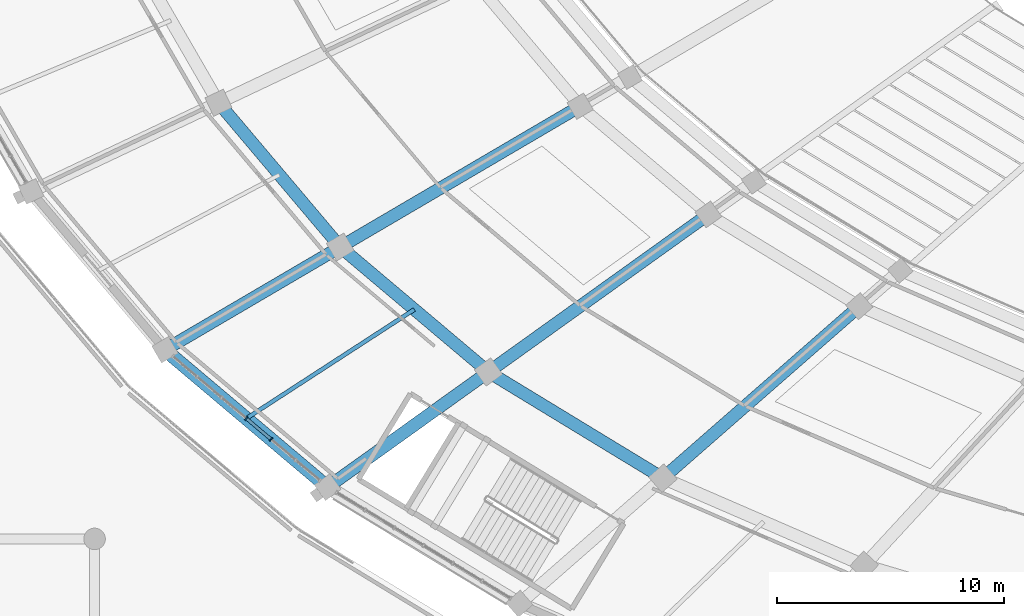
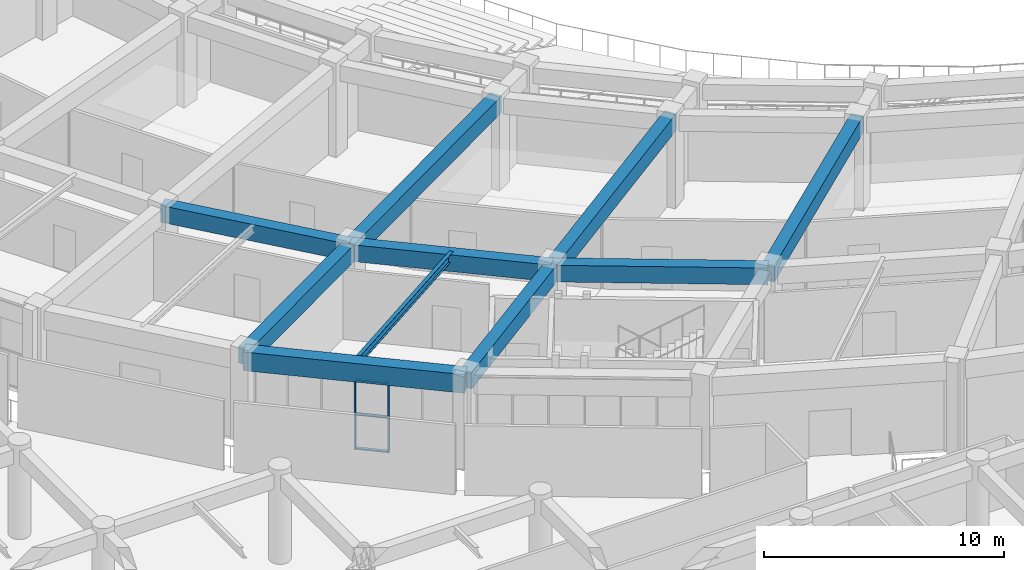
# One storey, part 19 of 152: 10 beams, 5 members, 1 element without a shape of its own.
"""IFC4 building model written with IfcOpenShell, lengths in metres."""

from ifc_helpers import new_model, si_unit, direction, frame, origin, origin_2d, place, context, subcontext, project, spatial, rectangle, i_section, extrude, material, layer, layer_set, material_profile, profile_set, type_object, element, aggregate, save


model = new_model("IFC4")

# Units and contexts
model_context = context("Model", 3, precision=1e-05, world=origin(), true_north=direction((0.0, 1.0)))
body_context = subcontext(model_context, "Body", "Model", "MODEL_VIEW")
ifc_project = project(units=[si_unit("LENGTHUNIT", "METRE"), si_unit("AREAUNIT", "SQUARE_METRE"), si_unit("VOLUMEUNIT", "CUBIC_METRE"), si_unit("PLANEANGLEUNIT", "RADIAN"), si_unit("MASSUNIT", "GRAM", prefix="KILO")], contexts=[model_context])

# Site, building, storey
site_placement = place(None, origin())
site = spatial("IfcSite", under=ifc_project, at=site_placement, CompositionType="ELEMENT")
building_placement = place(site_placement, origin())
building = spatial("IfcBuilding", under=site, at=building_placement, Name="Mphavela Belvedere Stadium", CompositionType="ELEMENT")
storey_placement = place(building_placement, frame((0.0, 0.0, 5.39990234375)))
storey = spatial("IfcBuildingStorey", under=building, at=storey_placement, Name="L01", CompositionType="ELEMENT", Elevation=5.39990234375)

# Beams
ifc_material_1 = material(Name="Concrete C40/50", Category="concrete")
ifc_material_profile_1 = material_profile(ifc_material_1, rectangle(XDim=0.60009765625, YDim=0.949951171875, at=origin_2d()), Name="RC 600x950")
ifc_profile_set_1 = profile_set([ifc_material_profile_1], Name="Concrete C40/50")
beam_type_1 = type_object("IfcBeamType", Name="BM-ENTABLATURE-950", PredefinedType="SPANDREL", material=ifc_profile_set_1)
beam_1_placement = place(storey_placement, frame((28.66162109375, 36.346435546875, 4.0751953125), z_axis=(0.76426547638, -0.644901761212, 0.0), x_axis=(0.644901761212, 0.76426547638, 0.0)))
element("IfcBeam", 1, at=beam_1_placement, inside=storey, type_object=beam_type_1, Name="Circumferential girder L01 R4-30", PredefinedType="SPANDREL", context=body_context, shape_type="SweptSolid", body=[
    extrude(rectangle(XDim=0.60009765625, YDim=0.949951171875, at=origin_2d()), origin(), (0.0, 0.0, 1.0), 9.3984375),
])
ifc_material_2 = material(Name="Steel S355", Category="steel")
ifc_material_profile_2 = material_profile(ifc_material_2, i_section(OverallWidth=0.179931640625, OverallDepth=0.39990234375, WebThickness=0.008544921875, FlangeThickness=0.013427734375, at=origin_2d()), Name="IPE 400")
ifc_profile_set_2 = profile_set([ifc_material_profile_2], Name="Steel S355")
beam_type_2 = type_object("IfcBeamType", Name="BM-JOIST-IPE400", PredefinedType="JOIST", material=ifc_profile_set_2)
beam_2_placement = place(storey_placement, frame((39.669189453125, 38.127197265625, 4.35009765625), z_axis=(-0.838915278194, -0.544262028818, 0.0), x_axis=(0.544262028818, -0.838915278194, 0.0)))
element("IfcBeam", 2, at=beam_2_placement, inside=storey, type_object=beam_type_2, Name="Concourse floor joist L01-30", PredefinedType="JOIST", context=body_context, shape_type="SweptSolid", body=[
    extrude(i_section(OverallWidth=0.179931640625, OverallDepth=0.39990234375, WebThickness=0.008544921875, FlangeThickness=0.013427734375, at=origin_2d()), origin(), (0.0, 0.0, 1.0), 8.840087890625),
])
ifc_material_3 = material(Name="Concrete C40/50", Category="concrete")
ifc_material_profile_3 = material_profile(ifc_material_3, rectangle(XDim=0.550048828125, YDim=0.85009765625, at=origin_2d()), Name="RC 550x850")
ifc_profile_set_3 = profile_set([ifc_material_profile_3], Name="Concrete C40/50")
beam_type_3 = type_object("IfcBeamType", Name="BM-RC550x850", PredefinedType="BEAM", material=ifc_profile_set_3)
beam_3_placement = place(storey_placement, frame((31.0244140625, 47.251708984375, 4.125), z_axis=(0.645177396673, -0.764032804808, 0.0), x_axis=(0.764032804808, 0.645177396673, 0.0)))
element("IfcBeam", 3, at=beam_3_placement, inside=storey, type_object=beam_type_3, Name="Circumferential girder L01 R3-29", PredefinedType="BEAM", context=body_context, shape_type="SweptSolid", body=[
    extrude(rectangle(XDim=0.550048828125, YDim=0.85009765625, at=origin_2d()), origin(), (0.0, 0.0, 1.0), 8.331298828125),
])
beam_4_placement = place(storey_placement, frame((36.399658203125, 40.88623046875, 4.125), z_axis=(0.764263355392, -0.644904274761, 0.0), x_axis=(0.644904274761, 0.764263355392, 0.0)))
element("IfcBeam", 4, at=beam_4_placement, inside=storey, type_object=beam_type_3, Name="Circumferential girder L01 R3-30", PredefinedType="BEAM", context=body_context, shape_type="SweptSolid", body=[
    extrude(rectangle(XDim=0.550048828125, YDim=0.85009765625, at=origin_2d()), origin(), (0.0, 0.0, 1.0), 8.55615234375),
])
beam_5_placement = place(storey_placement, frame((46.98828125, 47.098388671875, 4.125), z_axis=(-0.862519003522, -0.506024671892, 0.0), x_axis=(0.506024671892, -0.862519003522, 0.0)))
element("IfcBeam", 5, at=beam_5_placement, inside=storey, type_object=beam_type_3, Name="Radial concourse girder L01 R2R3-30", PredefinedType="BEAM", context=body_context, shape_type="SweptSolid", body=[
    extrude(rectangle(XDim=0.550048828125, YDim=0.85009765625, at=origin_2d()), origin(), (0.0, 0.0, 1.0), 12.2763671875),
])
beam_6_placement = place(storey_placement, frame((36.399658203125, 40.88623046875, 4.125), z_axis=(-0.862517779395, -0.506026758411, 0.0), x_axis=(0.506026758411, -0.862517779395, 0.0)))
element("IfcBeam", 6, at=beam_6_placement, inside=storey, type_object=beam_type_3, Name="Radial concourse girder L01 R3R4-30", PredefinedType="BEAM", context=body_context, shape_type="SweptSolid", body=[
    extrude(rectangle(XDim=0.550048828125, YDim=0.85009765625, at=origin_2d()), origin(), (0.0, 0.0, 1.0), 8.971435546875),
])
beam_7_placement = place(storey_placement, frame((42.938720703125, 35.368408203125, 4.125), z_axis=(0.854315160357, -0.519755333579, 0.0), x_axis=(0.519755333579, 0.854315160357, 0.0)))
element("IfcBeam", 7, at=beam_7_placement, inside=storey, type_object=beam_type_3, Name="Circumferential girder L01 R3-31", PredefinedType="BEAM", context=body_context, shape_type="SweptSolid", body=[
    extrude(rectangle(XDim=0.550048828125, YDim=0.85009765625, at=origin_2d()), origin(), (0.0, 0.0, 1.0), 9.014404296875),
])
beam_8_placement = place(storey_placement, frame((52.646240234375, 42.323974609375, 4.125), z_axis=(-0.812876169184, -0.582436548967, 0.0), x_axis=(0.582436548967, -0.812876169184, 0.0)))
element("IfcBeam", 8, at=beam_8_placement, inside=storey, type_object=beam_type_3, Name="Radial concourse girder L01 R2R3-31", PredefinedType="BEAM", context=body_context, shape_type="SweptSolid", body=[
    extrude(rectangle(XDim=0.550048828125, YDim=0.85009765625, at=origin_2d()), origin(), (0.0, 0.0, 1.0), 11.942138671875),
])
beam_9_placement = place(storey_placement, frame((42.938720703125, 35.368408203125, 4.125), z_axis=(-0.812882024932, -0.582428376319, 0.0), x_axis=(0.582428376319, -0.812882024932, 0.0)))
element("IfcBeam", 9, at=beam_9_placement, inside=storey, type_object=beam_type_3, Name="Radial concourse girder L01 R3R4-31", PredefinedType="BEAM", context=body_context, shape_type="SweptSolid", body=[
    extrude(rectangle(XDim=0.550048828125, YDim=0.85009765625, at=origin_2d()), origin(), (0.0, 0.0, 1.0), 8.727294921875),
])
beam_10_placement = place(storey_placement, frame((59.31005859375, 38.27001953125, 4.125), z_axis=(-0.752554378136, -0.658530111648, 0.0), x_axis=(0.658530111648, -0.752554378136, 0.0)))
element("IfcBeam", 10, at=beam_10_placement, inside=storey, type_object=beam_type_3, Name="Radial concourse girder L01 R2R3-32", PredefinedType="BEAM", context=body_context, shape_type="SweptSolid", body=[
    extrude(rectangle(XDim=0.550048828125, YDim=0.85009765625, at=origin_2d()), origin(), (0.0, 0.0, 1.0), 11.52099609375),
])

# Curtain wall, members
ifc_material_4 = material(Name="Anodised bronze unitised curtain wall framing")
ifc_layer = layer(ifc_material_4, 0.205078125)
ifc_layer_set = layer_set([ifc_layer], Name="Anodised bronze unitised curtain wall framing")
curtain_wall_type = type_object("IfcCurtainWallType", Name="CW-UNIT-06", PredefinedType="USERDEFINED", material=ifc_layer_set)
curtain_wall_placement = place(storey_placement, origin())
curtain_wall = element("IfcCurtainWall", 11, at=curtain_wall_placement, inside=storey, type_object=curtain_wall_type, Name="Belvedere colonnade curtain wall L01-30", ObjectType="UNITISED CURTAIN WALL", PredefinedType="USERDEFINED")
ifc_material_5 = material(Name="Anodised bronze extruded aluminium", Category="aluminium")
ifc_material_profile_4 = material_profile(ifc_material_5, rectangle(XDim=0.179931640625, YDim=0.06494140625, at=origin_2d()), Name="CW-MUL 180x65")
ifc_profile_set_4 = profile_set([ifc_material_profile_4], Name="Anodised bronze extruded aluminium")
member_type_1 = type_object("IfcMemberType", Name="CWM-180x65", PredefinedType="MULLION", material=ifc_profile_set_4)
member_1_placement = place(storey_placement, frame((32.2529296875, 33.31591796875, 0.0), z_axis=(0.0, 0.0, 1.0), x_axis=(0.644909572272, 0.76425888519, 0.0)))
member_1 = element("IfcMember", 12, at=member_1_placement, type_object=member_type_1, Name="CW-06 mullion 4", PredefinedType="MULLION", context=body_context, shape_type="SweptSolid", body=[
    extrude(rectangle(XDim=0.179931640625, YDim=0.06494140625, at=origin_2d()), origin(), (0.0, 0.0, 1.0), 3.570068359375),
])
member_2_placement = place(storey_placement, frame((33.34228515625, 32.396728515625, 0.0), z_axis=(0.0, 0.0, 1.0), x_axis=(0.644909572272, 0.76425888519, 0.0)))
member_2 = element("IfcMember", 13, at=member_2_placement, type_object=member_type_1, Name="CW-06 mullion 5", PredefinedType="MULLION", context=body_context, shape_type="SweptSolid", body=[
    extrude(rectangle(XDim=0.179931640625, YDim=0.06494140625, at=origin_2d()), origin(), (0.0, 0.0, 1.0), 3.570068359375),
])
ifc_material_6 = material(Name="Anodised bronze extruded aluminium", Category="aluminium")
ifc_material_profile_5 = material_profile(ifc_material_6, rectangle(XDim=0.139892578125, YDim=0.06005859375, at=origin_2d()), Name="CW-TRN 140x60")
ifc_profile_set_5 = profile_set([ifc_material_profile_5], Name="Anodised bronze extruded aluminium")
member_type_2 = type_object("IfcMemberType", Name="CWT-140x60", PredefinedType="USERDEFINED", material=ifc_profile_set_5)
member_3_placement = place(storey_placement, frame((32.27783203125, 33.294921875, 0.030029296875), z_axis=(0.764338471847, -0.644815245209, 0.0), x_axis=(0.644815245209, 0.764338471847, 0.0)))
member_3 = element("IfcMember", 14, at=member_3_placement, type_object=member_type_2, Name="CW-06 transom 4.1", ObjectType="TRANSOM", PredefinedType="USERDEFINED", context=body_context, shape_type="SweptSolid", body=[
    extrude(rectangle(XDim=0.139892578125, YDim=0.06005859375, at=origin_2d()), origin(), (0.0, 0.0, 1.0), 1.3603515625),
])
member_4_placement = place(storey_placement, frame((32.27783203125, 33.294921875, 1.78515625), z_axis=(0.764338471847, -0.644815245209, 0.0), x_axis=(0.644815245209, 0.764338471847, 0.0)))
member_4 = element("IfcMember", 15, at=member_4_placement, type_object=member_type_2, Name="CW-06 transom 4.2", ObjectType="TRANSOM", PredefinedType="USERDEFINED", context=body_context, shape_type="SweptSolid", body=[
    extrude(rectangle(XDim=0.139892578125, YDim=0.06005859375, at=origin_2d()), origin(), (0.0, 0.0, 1.0), 1.3603515625),
])
member_5_placement = place(storey_placement, frame((32.27783203125, 33.294921875, 3.5400390625), z_axis=(0.764338471847, -0.644815245209, 0.0), x_axis=(0.644815245209, 0.764338471847, 0.0)))
member_5 = element("IfcMember", 16, at=member_5_placement, type_object=member_type_2, Name="CW-06 transom 4.3", ObjectType="TRANSOM", PredefinedType="USERDEFINED", context=body_context, shape_type="SweptSolid", body=[
    extrude(rectangle(XDim=0.139892578125, YDim=0.06005859375, at=origin_2d()), origin(), (0.0, 0.0, 1.0), 1.3603515625),
])
aggregate(curtain_wall, [member_1, member_2, member_3, member_4, member_5])

save(model, "model.ifc")
